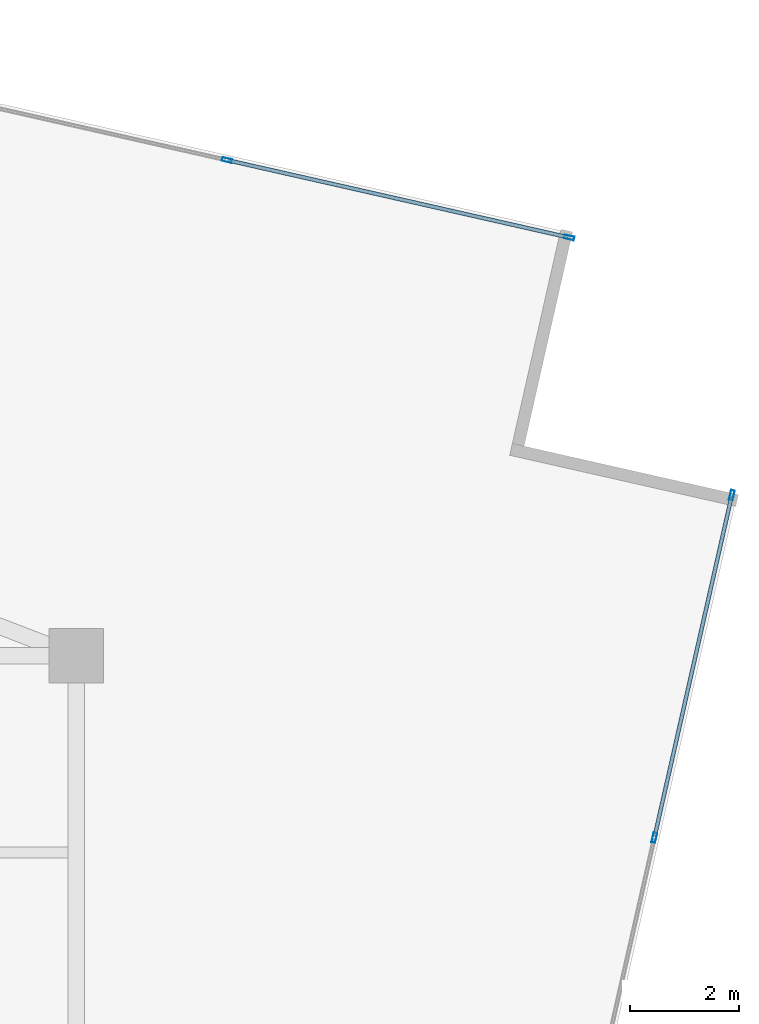
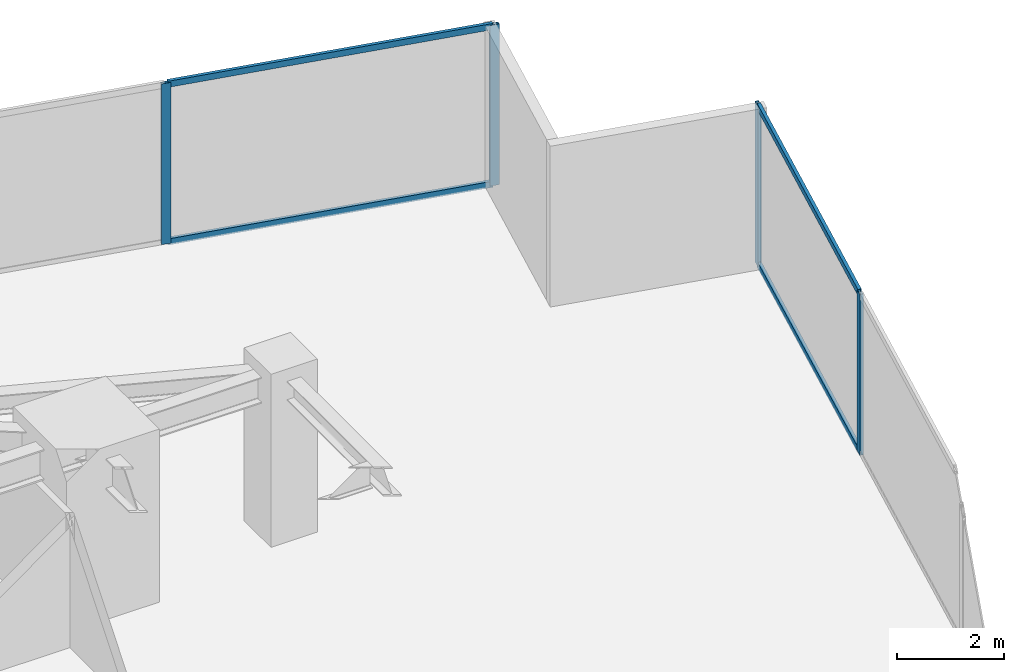
# One storey, part 20 of 26: 8 members, 2 elements without a shape of their own.
"""IFC4 building model written with IfcOpenShell, lengths in metres."""

from ifc_helpers import new_model, si_unit, direction, frame, origin, origin_2d, place, context, subcontext, project, spatial, hollow_rectangle, extrude, source, transform, mapped, material, material_profile, profile_set, type_object, type_shapes, element, aggregate, save


model = new_model("IFC4")

# Units and contexts
model_context = context("Model", 3, precision=1e-05, world=origin(), true_north=direction((0.0, 1.0)))
body_context = subcontext(model_context, "Body", "Model", "MODEL_VIEW")
ifc_project = project(units=[si_unit("LENGTHUNIT", "METRE"), si_unit("AREAUNIT", "SQUARE_METRE"), si_unit("VOLUMEUNIT", "CUBIC_METRE"), si_unit("PLANEANGLEUNIT", "RADIAN"), si_unit("MASSUNIT", "GRAM", prefix="KILO")], contexts=[model_context])

# Site, building, storey
site_placement = place(None, origin())
site = spatial("IfcSite", under=ifc_project, at=site_placement, CompositionType="ELEMENT")
building_placement = place(site_placement, origin())
building = spatial("IfcBuilding", under=site, at=building_placement, Name="Krantzveldt Concourse Tower", CompositionType="ELEMENT")
storey_placement = place(building_placement, frame((0.0, 0.0, 94.0)))
storey = spatial("IfcBuildingStorey", under=building, at=storey_placement, Name="L22", CompositionType="ELEMENT", Elevation=94.0)

# Curtain wall, members
ifc_material = material(Name="Anodised aluminium 6063-T6", Category="aluminium")
curtain_wall_type = type_object("IfcCurtainWallType", Name="CW2", PredefinedType="USERDEFINED", material=ifc_material)
curtain_wall_1_placement = place(storey_placement, origin())
curtain_wall_1 = element("IfcCurtainWall", 1, at=curtain_wall_1_placement, inside=storey, type_object=curtain_wall_type, Name="CW-L22-F07", ObjectType="UNITISED CURTAIN WALL", PredefinedType="USERDEFINED")
ifc_material_profile_1 = material_profile(ifc_material, hollow_rectangle(XDim=0.070068359375, YDim=0.179931640625, WallThickness=0.0048828125, at=origin_2d()), Name="Anodised aluminium 6063-T6", Category="aluminium")
ifc_profile_set_1 = profile_set([ifc_material_profile_1], Name="Anodised aluminium 6063-T6 - ALU-MULL 180x70x5")
member_type_1 = type_object("IfcMemberType", Name="CW-MUL-180", PredefinedType="MULLION", material=ifc_profile_set_1)
shared_shape_1 = source(origin(), body_context, "Body", "SweptSolid", [
    extrude(hollow_rectangle(XDim=0.070068359375, YDim=0.179931640625, WallThickness=0.0048828125, at=origin_2d()), origin(), (0.0, 0.0, 1.0), 3.669921875),
])
type_shapes(member_type_1, [shared_shape_1])
member_1_placement = place(storey_placement, frame((61.589599609375, 34.169921875, 0.0), z_axis=(0.0, 0.0, 1.0), x_axis=(-0.975342320609, 0.220697434579, 0.0)))
member_1 = element("IfcMember", 2, at=member_1_placement, type_object=member_type_1, Name="CW-Z12 mullion 6", PredefinedType="MULLION", context=body_context, shape_type="MappedRepresentation", body=[
    mapped(shared_shape_1, transform((0.0, 0.0, 0.0), x_axis=(1.0, 0.0, 0.0), y_axis=(0.0, 1.0, 0.0), z_axis=(0.0, 0.0, 1.0), scale=1.0)),
])
member_2_placement = place(storey_placement, frame((63.009033203125, 40.443115234375, 0.0), z_axis=(0.0, 0.0, 1.0), x_axis=(-0.975342320609, 0.220697434579, 0.0)))
member_2 = element("IfcMember", 3, at=member_2_placement, type_object=member_type_1, Name="CW-Z12 mullion 7", PredefinedType="MULLION", context=body_context, shape_type="MappedRepresentation", body=[
    mapped(shared_shape_1, transform((0.0, 0.0, 0.0), x_axis=(1.0, 0.0, 0.0), y_axis=(0.0, 1.0, 0.0), z_axis=(0.0, 0.0, 1.0), scale=1.0)),
])

curtain_wall_2_placement = place(storey_placement, origin())
curtain_wall_2 = element("IfcCurtainWall", 4, at=curtain_wall_2_placement, inside=storey, type_object=curtain_wall_type, Name="CW-L22-F10", ObjectType="UNITISED CURTAIN WALL", PredefinedType="USERDEFINED")
member_3_placement = place(storey_placement, frame((60.031982421875, 45.161376953125, 0.0), z_axis=(0.0, 0.0, 1.0), x_axis=(-0.220697434579, -0.975342320609, 0.0)))
member_3 = element("IfcMember", 5, at=member_3_placement, type_object=member_type_1, Name="CW-Z12 mullion 1", PredefinedType="MULLION", context=body_context, shape_type="MappedRepresentation", body=[
    mapped(shared_shape_1, transform((0.0, 0.0, 0.0), x_axis=(1.0, 0.0, 0.0), y_axis=(0.0, 1.0, 0.0), z_axis=(0.0, 0.0, 1.0), scale=1.0)),
])
member_4_placement = place(storey_placement, frame((53.7587890625, 46.580810546875, 0.0), z_axis=(0.0, 0.0, 1.0), x_axis=(-0.220697434579, -0.975342320609, 0.0)))
member_4 = element("IfcMember", 6, at=member_4_placement, type_object=member_type_1, Name="CW-Z12 mullion 2", PredefinedType="MULLION", context=body_context, shape_type="MappedRepresentation", body=[
    mapped(shared_shape_1, transform((0.0, 0.0, 0.0), x_axis=(1.0, 0.0, 0.0), y_axis=(0.0, 1.0, 0.0), z_axis=(0.0, 0.0, 1.0), scale=1.0)),
])

# Member
ifc_material_profile_2 = material_profile(ifc_material, hollow_rectangle(XDim=0.070068359375, YDim=0.139892578125, WallThickness=0.0048828125, at=origin_2d()), Name="Anodised aluminium 6063-T6", Category="aluminium")
ifc_profile_set_2 = profile_set([ifc_material_profile_2], Name="Anodised aluminium 6063-T6 - ALU-TRAN 140x70x5")
member_type_2 = type_object("IfcMemberType", Name="CW-TRN-150", PredefinedType="USERDEFINED", material=ifc_profile_set_2)
shared_shape_2 = source(origin(), body_context, "Body", "SweptSolid", [
    extrude(hollow_rectangle(XDim=0.070068359375, YDim=0.139892578125, WallThickness=0.0048828125, at=origin_2d()), origin(), (0.0, 0.0, 1.0), 6.361572265625),
])
member_5_placement = place(storey_placement, frame((61.597412109375, 34.2041015625, 0.034912109375), z_axis=(0.220667229594, 0.975349154807, 0.0), x_axis=(-0.975349154807, 0.220667229594, 0.0)))
member_5 = element("IfcMember", 7, at=member_5_placement, type_object=member_type_2, Name="CW-Z12 transom 6.1", ObjectType="TRANSOM", PredefinedType="USERDEFINED", context=body_context, shape_type="MappedRepresentation", body=[
    mapped(shared_shape_2, transform((0.0, 0.0, 0.0), x_axis=(1.0, 0.0, 0.0), y_axis=(0.0, 1.0, 0.0), z_axis=(0.0, 0.0, 1.0), scale=1.0)),
])

member_6_placement = place(storey_placement, frame((61.597412109375, 34.2041015625, 3.635009765625), z_axis=(0.220667229594, 0.975349154807, 0.0), x_axis=(-0.975349154807, 0.220667229594, 0.0)))
member_6 = element("IfcMember", 8, at=member_6_placement, type_object=member_type_2, Name="CW-Z12 transom 6.2", ObjectType="TRANSOM", PredefinedType="USERDEFINED", context=body_context, shape_type="MappedRepresentation", body=[
    mapped(shared_shape_2, transform((0.0, 0.0, 0.0), x_axis=(1.0, 0.0, 0.0), y_axis=(0.0, 1.0, 0.0), z_axis=(0.0, 0.0, 1.0), scale=1.0)),
])

aggregate(curtain_wall_1, [member_1, member_2, member_5, member_6])

shared_shape_3 = source(origin(), body_context, "Body", "SweptSolid", [
    extrude(hollow_rectangle(XDim=0.070068359375, YDim=0.139892578125, WallThickness=0.0048828125, at=origin_2d()), origin(), (0.0, 0.0, 1.0), 6.36181640625),
])
type_shapes(member_type_2, [shared_shape_2, shared_shape_3])
member_7_placement = place(storey_placement, frame((59.997802734375, 45.169189453125, 0.034912109375), z_axis=(-0.975340894424, 0.220703737314, 0.0), x_axis=(-0.220703737314, -0.975340894424, 0.0)))
member_7 = element("IfcMember", 9, at=member_7_placement, type_object=member_type_2, Name="CW-Z12 transom 1.1", ObjectType="TRANSOM", PredefinedType="USERDEFINED", context=body_context, shape_type="MappedRepresentation", body=[
    mapped(shared_shape_3, transform((0.0, 0.0, 0.0), x_axis=(1.0, 0.0, 0.0), y_axis=(0.0, 1.0, 0.0), z_axis=(0.0, 0.0, 1.0), scale=1.0)),
])

member_8_placement = place(storey_placement, frame((59.997802734375, 45.169189453125, 3.635009765625), z_axis=(-0.975340894424, 0.220703737314, 0.0), x_axis=(-0.220703737314, -0.975340894424, 0.0)))
member_8 = element("IfcMember", 10, at=member_8_placement, type_object=member_type_2, Name="CW-Z12 transom 1.2", ObjectType="TRANSOM", PredefinedType="USERDEFINED", context=body_context, shape_type="MappedRepresentation", body=[
    mapped(shared_shape_3, transform((0.0, 0.0, 0.0), x_axis=(1.0, 0.0, 0.0), y_axis=(0.0, 1.0, 0.0), z_axis=(0.0, 0.0, 1.0), scale=1.0)),
])

aggregate(curtain_wall_2, [member_3, member_4, member_7, member_8])

save(model, "model.ifc")
